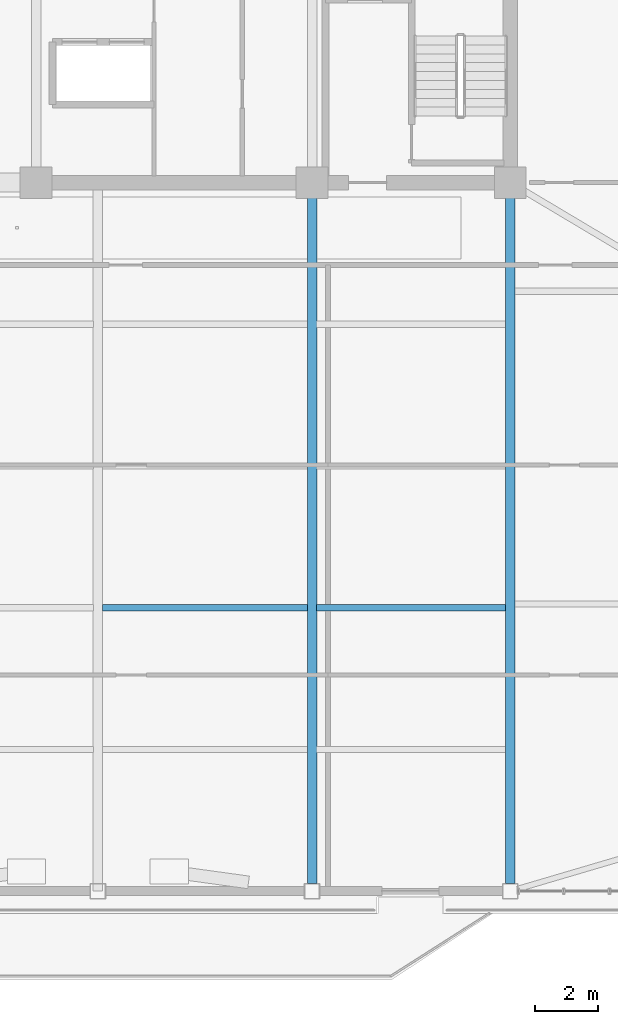
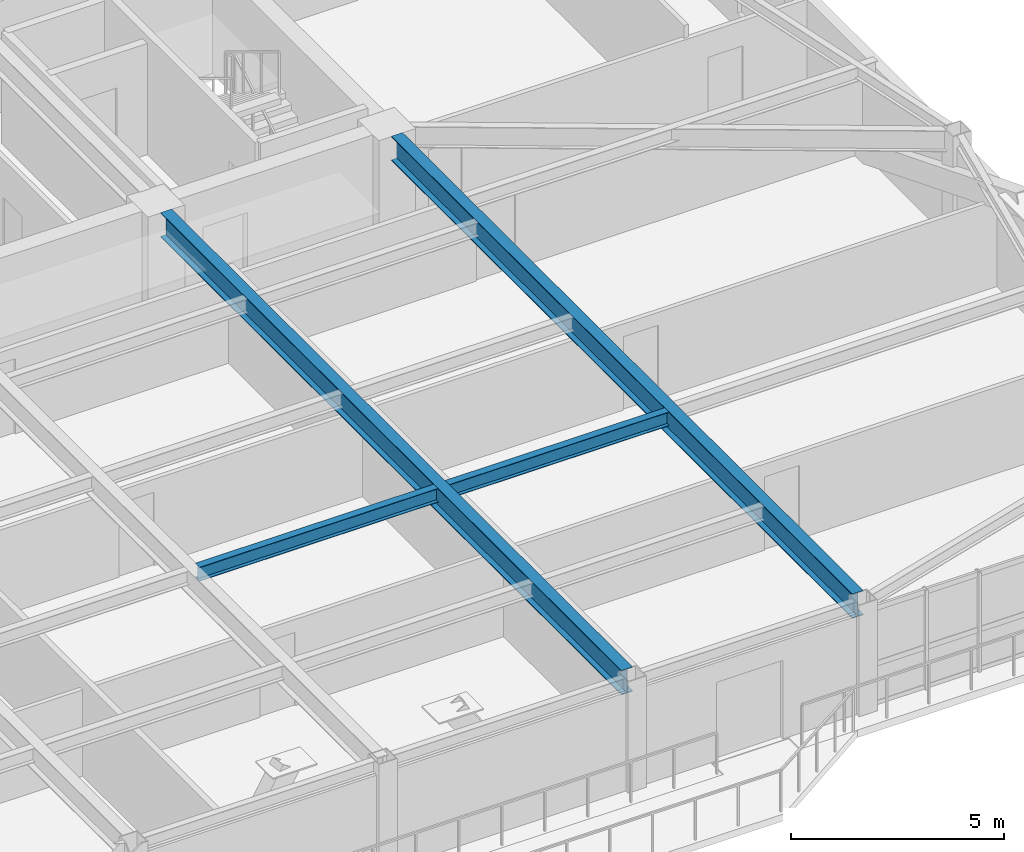
# One storey, part 5 of 17: 4 beams.
"""IFC4 building model written with IfcOpenShell, lengths in metres."""

from ifc_helpers import new_model, si_unit, direction, frame, origin, origin_2d, place, context, subcontext, project, spatial, i_section, extrude, source, transform, mapped, material, material_profile, profile_set, type_object, element, save


model = new_model("IFC4")

# Units and contexts
model_context = context("Model", 3, precision=1e-05, world=origin(), true_north=direction((0.0, 1.0)))
body_context = subcontext(model_context, "Body", "Model", "MODEL_VIEW")
ifc_project = project(units=[si_unit("LENGTHUNIT", "METRE"), si_unit("AREAUNIT", "SQUARE_METRE"), si_unit("VOLUMEUNIT", "CUBIC_METRE"), si_unit("PLANEANGLEUNIT", "RADIAN"), si_unit("MASSUNIT", "GRAM", prefix="KILO")], contexts=[model_context])

# Site, building, storey
site_placement = place(None, origin())
site = spatial("IfcSite", under=ifc_project, at=site_placement, CompositionType="ELEMENT")
building_placement = place(site_placement, origin())
building = spatial("IfcBuilding", under=site, at=building_placement, Name="Giltprow Tower", CompositionType="ELEMENT")
storey_placement = place(building_placement, frame((0.0, 0.0, 251.89990234375)))
storey = spatial("IfcBuildingStorey", under=building, at=storey_placement, Name="L64", CompositionType="ELEMENT", Elevation=251.89990234375)

# Beams
ifc_material = material(Name="Structural steel Q355B", Category="steel")
ifc_material_profile_1 = material_profile(ifc_material, i_section(OverallWidth=0.199951171875, OverallDepth=0.39990234375, WebThickness=0.008056640625, FlangeThickness=0.012939453125, at=origin_2d()), Name="HN 400x200x8x13")
ifc_profile_set_1 = profile_set([ifc_material_profile_1], Name="Structural steel Q355B")
beam_type_1 = type_object("IfcBeamType", Name="BM-JOIST-HN400", PredefinedType="JOIST", material=ifc_profile_set_1)
shared_shape_1 = source(origin(), body_context, "Body", "SweptSolid", [
    extrude(i_section(OverallWidth=0.199951171875, OverallDepth=0.39990234375, WebThickness=0.008056640625, FlangeThickness=0.012939453125, at=origin_2d()), origin(), (0.0, 0.0, 1.0), 6.4599609375),
])
beam_1_placement = place(storey_placement, frame((37.695068359375, 24.048095703125, 2.985107421875), z_axis=(1.0, 0.0, 0.0), x_axis=(0.0, 1.0, 0.0)))
element("IfcBeam", 1, at=beam_1_placement, inside=storey, type_object=beam_type_1, Name="L64 Composite Floor Joist 2-3", PredefinedType="JOIST", context=body_context, shape_type="MappedRepresentation", body=[
    mapped(shared_shape_1, transform((0.0, 0.0, 0.0), x_axis=(1.0, 0.0, 0.0), y_axis=(0.0, 1.0, 0.0), z_axis=(0.0, 0.0, 1.0), scale=1.0)),
])
shared_shape_2 = source(origin(), body_context, "Body", "SweptSolid", [
    extrude(i_section(OverallWidth=0.199951171875, OverallDepth=0.39990234375, WebThickness=0.008056640625, FlangeThickness=0.012939453125, at=origin_2d()), origin(), (0.0, 0.0, 1.0), 5.9599609375),
])
beam_2_placement = place(storey_placement, frame((44.445068359375, 24.048095703125, 2.985107421875), z_axis=(1.0, 0.0, 0.0), x_axis=(0.0, 1.0, 0.0)))
element("IfcBeam", 2, at=beam_2_placement, inside=storey, type_object=beam_type_1, Name="L64 Composite Floor Joist 2-4", PredefinedType="JOIST", context=body_context, shape_type="MappedRepresentation", body=[
    mapped(shared_shape_2, transform((0.0, 0.0, 0.0), x_axis=(1.0, 0.0, 0.0), y_axis=(0.0, 1.0, 0.0), z_axis=(0.0, 0.0, 1.0), scale=1.0)),
])
ifc_material_profile_2 = material_profile(ifc_material, i_section(OverallWidth=0.300048828125, OverallDepth=0.699951171875, WebThickness=0.012939453125, FlangeThickness=0.02392578125, at=origin_2d()), Name="HN 700x300x13x24")
ifc_profile_set_2 = profile_set([ifc_material_profile_2], Name="Structural steel Q355B")
beam_type_2 = type_object("IfcBeamType", Name="BM-GIRD-HN700", PredefinedType="BEAM", material=ifc_profile_set_2)
shared_shape_3 = source(origin(), body_context, "Body", "SweptSolid", [
    extrude(i_section(OverallWidth=0.300048828125, OverallDepth=0.699951171875, WebThickness=0.012939453125, FlangeThickness=0.02392578125, at=origin_2d()), origin(), (0.0, 0.0, 1.0), 21.6171875),
])
for number, where, z_axis, x_axis, name in (
    (3, (44.300048828125, 15.347900390625, 2.835205078125), (0.0, 1.0, 0.0), (-1.0, 0.0, 0.0), "L64 Primary Lease Girder S3"),
    (4, (50.550048828125, 15.347900390625, 2.835205078125), (0.0, 1.0, 0.0), (-1.0, 0.0, 0.0), "L64 Primary Lease Girder S4"),
):
    element("IfcBeam", number, at=place(storey_placement, frame(where, z_axis=z_axis, x_axis=x_axis)), inside=storey, type_object=beam_type_2, Name=name, PredefinedType="BEAM", context=body_context, shape_type="MappedRepresentation", body=[
        mapped(shared_shape_3, transform((0.0, 0.0, 0.0), x_axis=(1.0, 0.0, 0.0), y_axis=(0.0, 1.0, 0.0), z_axis=(0.0, 0.0, 1.0), scale=1.0)),
    ])

save(model, "model.ifc")
